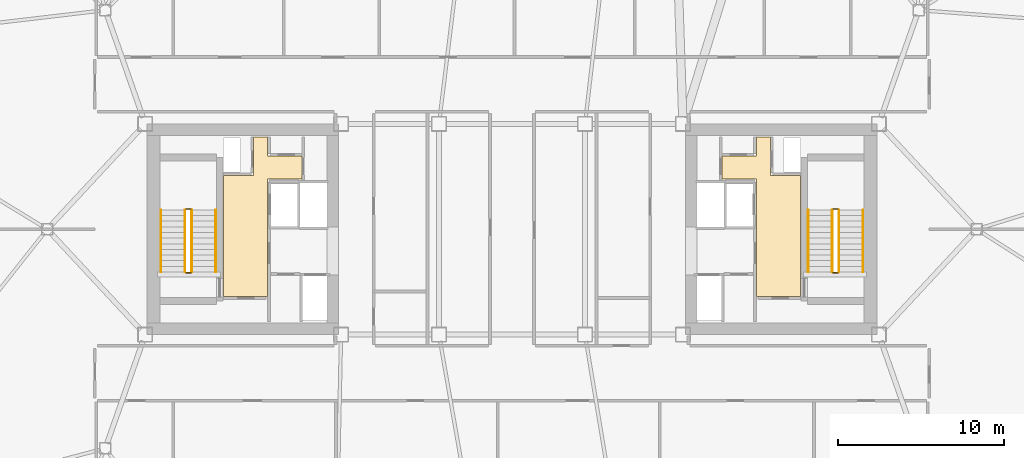
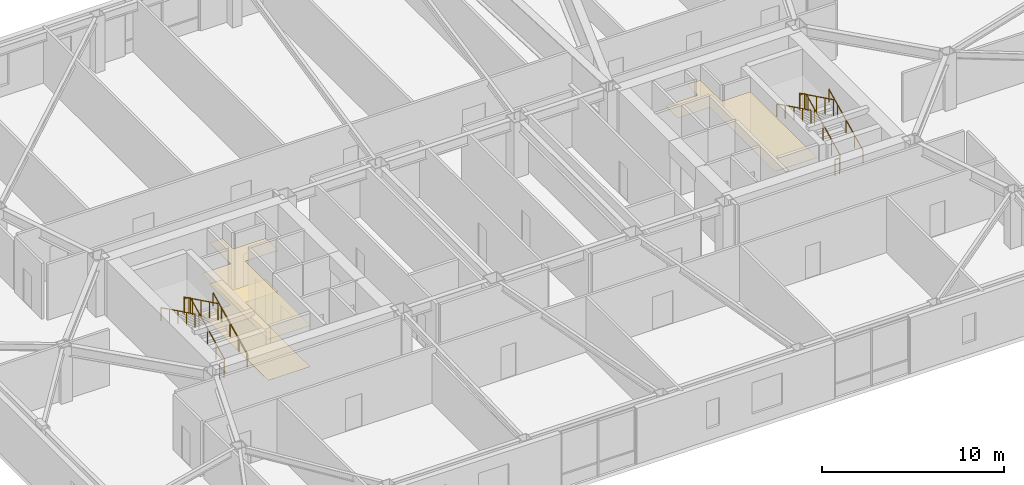
# One storey, part 18 of 18: 12 railings, 3 coverings.
"""IFC4 building model written with IfcOpenShell, lengths in metres."""

from ifc_helpers import new_model, si_unit, direction, frame, origin, origin_2d, place, context, subcontext, project, spatial, polyline, rectangle, outline, extrude, material, layer, layer_set, type_object, element, save


model = new_model("IFC4")

# Units and contexts
model_context = context("Model", 3, precision=1e-05, world=origin(), true_north=direction((0.0, 1.0)))
body_context = subcontext(model_context, "Body", "Model", "MODEL_VIEW")
ifc_project = project(units=[si_unit("LENGTHUNIT", "METRE"), si_unit("AREAUNIT", "SQUARE_METRE"), si_unit("VOLUMEUNIT", "CUBIC_METRE"), si_unit("PLANEANGLEUNIT", "RADIAN"), si_unit("MASSUNIT", "GRAM", prefix="KILO")], contexts=[model_context])

# Site, building, storey
site_placement = place(None, origin())
site = spatial("IfcSite", under=ifc_project, at=site_placement, CompositionType="ELEMENT")
building_placement = place(site_placement, origin())
building = spatial("IfcBuilding", under=site, at=building_placement, Name="Tavrogorsk Clinical Tower", CompositionType="ELEMENT")
storey_placement = place(building_placement, frame((0.0, 0.0, 180.199951171875)))
storey = spatial("IfcBuildingStorey", under=building, at=storey_placement, Name="L41", CompositionType="ELEMENT", Elevation=180.199951171875)

# Coverings
ifc_material_1 = material(Name="Antibacterial micro-perforated aluminium ceiling", Category="aluminium")
ifc_layer_1 = layer(ifc_material_1, 0.014892578125)
ifc_layer_set_1 = layer_set([ifc_layer_1], Name="Antibacterial micro-perforated aluminium ceiling")
covering_type_1 = type_object("IfcCoveringType", Name="ClinicalCeiling_15", PredefinedType="CEILING", material=ifc_layer_set_1)
covering_1_placement = place(storey_placement, frame((0.0, 0.0, 2.75)))
element("IfcCovering", 1, at=covering_1_placement, inside=storey, type_object=covering_type_1, Name="Core West Firefighting Lift Lobby Acoustic Ceiling", PredefinedType="CEILING", context=body_context, shape_type="SweptSolid", body=[
    extrude(outline(polyline([(-17.3798828125, -4.06005859375), (-17.3798828125, 3.239990234375), (-15.56005859375, 3.239990234375), (-15.56005859375, 5.56005859375), (-14.719970703125, 5.56005859375), (-14.719970703125, 4.39990234375), (-12.659912109375, 4.39990234375), (-12.659912109375, 3.0400390625), (-14.719970703125, 3.0400390625), (-14.719970703125, -4.06005859375), (-17.3798828125, -4.06005859375)])), origin(), (0.0, 0.0, 1.0), 0.01513671875),
])
covering_2_placement = place(storey_placement, frame((0.0, 0.0, 2.75)))
element("IfcCovering", 2, at=covering_2_placement, inside=storey, type_object=covering_type_1, Name="Core East Firefighting Lift Lobby Acoustic Ceiling", PredefinedType="CEILING", context=body_context, shape_type="SweptSolid", body=[
    extrude(outline(polyline([(14.719970703125, 3.0400390625), (12.659912109375, 3.0400390625), (12.659912109375, 4.39990234375), (14.719970703125, 4.39990234375), (14.719970703125, 5.56005859375), (15.56005859375, 5.56005859375), (15.56005859375, 3.239990234375), (17.3798828125, 3.239990234375), (17.3798828125, -4.06005859375), (14.719970703125, -4.06005859375), (14.719970703125, 3.0400390625)])), origin(), (0.0, 0.0, 1.0), 0.01513671875),
])
ifc_material_2 = material(Name="Homogeneous medical conductive PVC flooring")
ifc_layer_2 = layer(ifc_material_2, 0.008056640625)
ifc_layer_set_2 = layer_set([ifc_layer_2], Name="Homogeneous medical conductive PVC flooring")
covering_type_2 = type_object("IfcCoveringType", Name="ResilientVinylFloor_8", PredefinedType="FLOORING", material=ifc_layer_set_2)
covering_3_placement = place(storey_placement, origin())
element("IfcCovering", 3, at=covering_3_placement, inside=storey, type_object=covering_type_2, Name="Core West Firefighting Lift Lobby Conductive Vinyl Flooring", PredefinedType="FLOORING", context=body_context, shape_type="SweptSolid", body=[
    extrude(outline(polyline([(-17.3798828125, -4.06005859375), (-17.3798828125, 3.239990234375), (-15.56005859375, 3.239990234375), (-15.56005859375, 5.56005859375), (-14.719970703125, 5.56005859375), (-14.719970703125, 4.39990234375), (-12.659912109375, 4.39990234375), (-12.659912109375, 3.0400390625), (-14.719970703125, 3.0400390625), (-14.719970703125, -4.06005859375), (-17.3798828125, -4.06005859375)])), origin(), (0.0, 0.0, 1.0), 0.008056640625),
])

# Railings
ifc_material_3 = material(Name="Galvanised steel S355 safety stairwell guard", Category="steel")
ifc_layer_3 = layer(ifc_material_3, 0.06005859375)
ifc_layer_set_3 = layer_set([ifc_layer_3], Name="Galvanised steel S355 safety stairwell guard")
railing_type_1 = type_object("IfcRailingType", Name="StairGuard_1150", PredefinedType="GUARDRAIL", material=ifc_layer_set_3)
railing_1_placement = place(storey_placement, frame((-19.300048828125, -2.574951171875, 0.166748046875)))
element("IfcRailing", 4, at=railing_1_placement, inside=storey, type_object=railing_type_1, Name="L41 ST-W stair guard 1", PredefinedType="GUARDRAIL", context=body_context, shape_type="SweptSolid", body=[
    extrude(rectangle(XDim=0.048095703125, YDim=0.048095703125, at=origin_2d()), frame((0.0, 0.0, 1.076171875), z_axis=(0.0, 0.897927990467, 0.440142390523), x_axis=(-1.0, 0.0, 0.0)), (0.0, 0.0, 1.0), 4.1650390625),
    extrude(rectangle(XDim=0.0419921875, YDim=0.0419921875, at=origin_2d()), origin(), (0.0, 0.0, 1.0), 1.052001953125),
    extrude(rectangle(XDim=0.0419921875, YDim=0.0419921875, at=origin_2d()), frame((0.0, 0.93505859375, 0.458251953125)), (0.0, 0.0, 1.0), 1.052001953125),
    extrude(rectangle(XDim=0.0419921875, YDim=0.0419921875, at=origin_2d()), frame((0.0, 1.8701171875, 0.91650390625)), (0.0, 0.0, 1.0), 1.052001953125),
    extrude(rectangle(XDim=0.0419921875, YDim=0.0419921875, at=origin_2d()), frame((0.0, 2.804931640625, 1.375)), (0.0, 0.0, 1.0), 1.052001953125),
    extrude(rectangle(XDim=0.0419921875, YDim=0.0419921875, at=origin_2d()), frame((0.0, 3.739990234375, 1.833251953125)), (0.0, 0.0, 1.0), 1.052001953125),
])
railing_2_placement = place(storey_placement, frame((-19.35009765625, 1.215087890625, 2.0)))
element("IfcRailing", 5, at=railing_2_placement, inside=storey, type_object=railing_type_1, Name="L41 ST-W stair guard 2", PredefinedType="GUARDRAIL", context=body_context, shape_type="SweptSolid", body=[
    extrude(rectangle(XDim=0.048095703125, YDim=0.048095703125, at=origin_2d()), frame((0.0, 0.0, 1.076171875), z_axis=(-1.0, 0.0, 0.0), x_axis=(0.0, -1.0, 0.0)), (0.0, 0.0, 1.0), 0.2998046875),
    extrude(rectangle(XDim=0.0419921875, YDim=0.0419921875, at=origin_2d()), origin(), (0.0, 0.0, 1.0), 1.052001953125),
    extrude(rectangle(XDim=0.0419921875, YDim=0.0419921875, at=origin_2d()), frame((-0.2998046875, 0.0, 0.0)), (0.0, 0.0, 1.0), 1.052001953125),
])
railing_3_placement = place(storey_placement, frame((-19.699951171875, 1.1650390625, 2.166748046875)))
element("IfcRailing", 6, at=railing_3_placement, inside=storey, type_object=railing_type_1, Name="L41 ST-W stair guard 3", PredefinedType="GUARDRAIL", context=body_context, shape_type="SweptSolid", body=[
    extrude(rectangle(XDim=0.048095703125, YDim=0.048095703125, at=origin_2d()), frame((0.0, 0.0, 1.076171875), z_axis=(0.0, -0.897927990467, 0.440142390523), x_axis=(1.0, 0.0, 0.0)), (0.0, 0.0, 1.0), 4.1650390625),
    extrude(rectangle(XDim=0.0419921875, YDim=0.0419921875, at=origin_2d()), origin(), (0.0, 0.0, 1.0), 1.052001953125),
    extrude(rectangle(XDim=0.0419921875, YDim=0.0419921875, at=origin_2d()), frame((0.0, -0.93505859375, 0.458251953125)), (0.0, 0.0, 1.0), 1.052001953125),
    extrude(rectangle(XDim=0.0419921875, YDim=0.0419921875, at=origin_2d()), frame((0.0, -1.8701171875, 0.91650390625)), (0.0, 0.0, 1.0), 1.052001953125),
    extrude(rectangle(XDim=0.0419921875, YDim=0.0419921875, at=origin_2d()), frame((0.0, -2.804931640625, 1.375)), (0.0, 0.0, 1.0), 1.052001953125),
    extrude(rectangle(XDim=0.0419921875, YDim=0.0419921875, at=origin_2d()), frame((0.0, -3.739990234375, 1.833251953125)), (0.0, 0.0, 1.0), 1.052001953125),
])
railing_4_placement = place(storey_placement, frame((-19.35009765625, -2.625, 0.0)))
element("IfcRailing", 7, at=railing_4_placement, inside=storey, type_object=railing_type_1, Name="L41 ST-W stair guard 4", PredefinedType="GUARDRAIL", context=body_context, shape_type="SweptSolid", body=[
    extrude(rectangle(XDim=0.048095703125, YDim=0.048095703125, at=origin_2d()), frame((0.0, 0.0, 1.076171875), z_axis=(-1.0, 0.0, 0.0), x_axis=(0.0, -1.0, 0.0)), (0.0, 0.0, 1.0), 0.2998046875),
    extrude(rectangle(XDim=0.0419921875, YDim=0.0419921875, at=origin_2d()), origin(), (0.0, 0.0, 1.0), 1.052001953125),
    extrude(rectangle(XDim=0.0419921875, YDim=0.0419921875, at=origin_2d()), frame((-0.2998046875, 0.0, 0.0)), (0.0, 0.0, 1.0), 1.052001953125),
])
railing_5_placement = place(storey_placement, frame((19.699951171875, -2.574951171875, 0.166748046875)))
element("IfcRailing", 8, at=railing_5_placement, inside=storey, type_object=railing_type_1, Name="L41 ST-E stair guard 1", PredefinedType="GUARDRAIL", context=body_context, shape_type="SweptSolid", body=[
    extrude(rectangle(XDim=0.048095703125, YDim=0.048095703125, at=origin_2d()), frame((0.0, 0.0, 1.076171875), z_axis=(0.0, 0.897927990467, 0.440142390523), x_axis=(-1.0, 0.0, 0.0)), (0.0, 0.0, 1.0), 4.1650390625),
    extrude(rectangle(XDim=0.0419921875, YDim=0.0419921875, at=origin_2d()), origin(), (0.0, 0.0, 1.0), 1.052001953125),
    extrude(rectangle(XDim=0.0419921875, YDim=0.0419921875, at=origin_2d()), frame((0.0, 0.93505859375, 0.458251953125)), (0.0, 0.0, 1.0), 1.052001953125),
    extrude(rectangle(XDim=0.0419921875, YDim=0.0419921875, at=origin_2d()), frame((0.0, 1.8701171875, 0.91650390625)), (0.0, 0.0, 1.0), 1.052001953125),
    extrude(rectangle(XDim=0.0419921875, YDim=0.0419921875, at=origin_2d()), frame((0.0, 2.804931640625, 1.375)), (0.0, 0.0, 1.0), 1.052001953125),
    extrude(rectangle(XDim=0.0419921875, YDim=0.0419921875, at=origin_2d()), frame((0.0, 3.739990234375, 1.833251953125)), (0.0, 0.0, 1.0), 1.052001953125),
])
railing_6_placement = place(storey_placement, frame((19.64990234375, 1.215087890625, 2.0)))
element("IfcRailing", 9, at=railing_6_placement, inside=storey, type_object=railing_type_1, Name="L41 ST-E stair guard 2", PredefinedType="GUARDRAIL", context=body_context, shape_type="SweptSolid", body=[
    extrude(rectangle(XDim=0.048095703125, YDim=0.048095703125, at=origin_2d()), frame((0.0, 0.0, 1.076171875), z_axis=(-1.0, 0.0, 0.0), x_axis=(0.0, -1.0, 0.0)), (0.0, 0.0, 1.0), 0.2998046875),
    extrude(rectangle(XDim=0.0419921875, YDim=0.0419921875, at=origin_2d()), origin(), (0.0, 0.0, 1.0), 1.052001953125),
    extrude(rectangle(XDim=0.0419921875, YDim=0.0419921875, at=origin_2d()), frame((-0.2998046875, 0.0, 0.0)), (0.0, 0.0, 1.0), 1.052001953125),
])
railing_7_placement = place(storey_placement, frame((19.300048828125, 1.1650390625, 2.166748046875)))
element("IfcRailing", 10, at=railing_7_placement, inside=storey, type_object=railing_type_1, Name="L41 ST-E stair guard 3", PredefinedType="GUARDRAIL", context=body_context, shape_type="SweptSolid", body=[
    extrude(rectangle(XDim=0.048095703125, YDim=0.048095703125, at=origin_2d()), frame((0.0, 0.0, 1.076171875), z_axis=(0.0, -0.897927990467, 0.440142390523), x_axis=(1.0, 0.0, 0.0)), (0.0, 0.0, 1.0), 4.1650390625),
    extrude(rectangle(XDim=0.0419921875, YDim=0.0419921875, at=origin_2d()), origin(), (0.0, 0.0, 1.0), 1.052001953125),
    extrude(rectangle(XDim=0.0419921875, YDim=0.0419921875, at=origin_2d()), frame((0.0, -0.93505859375, 0.458251953125)), (0.0, 0.0, 1.0), 1.052001953125),
    extrude(rectangle(XDim=0.0419921875, YDim=0.0419921875, at=origin_2d()), frame((0.0, -1.8701171875, 0.91650390625)), (0.0, 0.0, 1.0), 1.052001953125),
    extrude(rectangle(XDim=0.0419921875, YDim=0.0419921875, at=origin_2d()), frame((0.0, -2.804931640625, 1.375)), (0.0, 0.0, 1.0), 1.052001953125),
    extrude(rectangle(XDim=0.0419921875, YDim=0.0419921875, at=origin_2d()), frame((0.0, -3.739990234375, 1.833251953125)), (0.0, 0.0, 1.0), 1.052001953125),
])
railing_8_placement = place(storey_placement, frame((19.64990234375, -2.625, 0.0)))
element("IfcRailing", 11, at=railing_8_placement, inside=storey, type_object=railing_type_1, Name="L41 ST-E stair guard 4", PredefinedType="GUARDRAIL", context=body_context, shape_type="SweptSolid", body=[
    extrude(rectangle(XDim=0.048095703125, YDim=0.048095703125, at=origin_2d()), frame((0.0, 0.0, 1.076171875), z_axis=(-1.0, 0.0, 0.0), x_axis=(0.0, -1.0, 0.0)), (0.0, 0.0, 1.0), 0.2998046875),
    extrude(rectangle(XDim=0.0419921875, YDim=0.0419921875, at=origin_2d()), origin(), (0.0, 0.0, 1.0), 1.052001953125),
    extrude(rectangle(XDim=0.0419921875, YDim=0.0419921875, at=origin_2d()), frame((-0.2998046875, 0.0, 0.0)), (0.0, 0.0, 1.0), 1.052001953125),
])
ifc_material_4 = material(Name="Stainless steel AISI 304 tubular handrail", Category="steel")
ifc_layer_4 = layer(ifc_material_4, 0.050048828125)
ifc_layer_set_4 = layer_set([ifc_layer_4], Name="Stainless steel AISI 304 tubular handrail")
railing_type_2 = type_object("IfcRailingType", Name="StairHandrail_920", PredefinedType="HANDRAIL", material=ifc_layer_set_4)
railing_9_placement = place(storey_placement, frame((-17.85009765625, -2.574951171875, 0.166748046875)))
element("IfcRailing", 12, at=railing_9_placement, inside=storey, type_object=railing_type_2, Name="L41 ST-W stair handrail 1", PredefinedType="HANDRAIL", context=body_context, shape_type="SweptSolid", body=[
    extrude(rectangle(XDim=0.048095703125, YDim=0.048095703125, at=origin_2d()), frame((0.0, 0.0, 0.8759765625), z_axis=(0.0, 0.897927990467, 0.440142390523), x_axis=(-1.0, 0.0, 0.0)), (0.0, 0.0, 1.0), 4.1650390625),
    extrude(rectangle(XDim=0.0419921875, YDim=0.0419921875, at=origin_2d()), origin(), (0.0, 0.0, 1.0), 0.851806640625),
    extrude(rectangle(XDim=0.0419921875, YDim=0.0419921875, at=origin_2d()), frame((0.0, 0.93505859375, 0.458251953125)), (0.0, 0.0, 1.0), 0.851806640625),
    extrude(rectangle(XDim=0.0419921875, YDim=0.0419921875, at=origin_2d()), frame((0.0, 1.8701171875, 0.91650390625)), (0.0, 0.0, 1.0), 0.851806640625),
    extrude(rectangle(XDim=0.0419921875, YDim=0.0419921875, at=origin_2d()), frame((0.0, 2.804931640625, 1.375)), (0.0, 0.0, 1.0), 0.851806640625),
    extrude(rectangle(XDim=0.0419921875, YDim=0.0419921875, at=origin_2d()), frame((0.0, 3.739990234375, 1.833251953125)), (0.0, 0.0, 1.0), 0.851806640625),
])
railing_10_placement = place(storey_placement, frame((-21.14990234375, 1.1650390625, 2.166748046875)))
element("IfcRailing", 13, at=railing_10_placement, inside=storey, type_object=railing_type_2, Name="L41 ST-W stair handrail 2", PredefinedType="HANDRAIL", context=body_context, shape_type="SweptSolid", body=[
    extrude(rectangle(XDim=0.048095703125, YDim=0.048095703125, at=origin_2d()), frame((0.0, 0.0, 0.8759765625), z_axis=(0.0, -0.897927990467, 0.440142390523), x_axis=(1.0, 0.0, 0.0)), (0.0, 0.0, 1.0), 4.1650390625),
    extrude(rectangle(XDim=0.0419921875, YDim=0.0419921875, at=origin_2d()), origin(), (0.0, 0.0, 1.0), 0.851806640625),
    extrude(rectangle(XDim=0.0419921875, YDim=0.0419921875, at=origin_2d()), frame((0.0, -0.93505859375, 0.458251953125)), (0.0, 0.0, 1.0), 0.851806640625),
    extrude(rectangle(XDim=0.0419921875, YDim=0.0419921875, at=origin_2d()), frame((0.0, -1.8701171875, 0.91650390625)), (0.0, 0.0, 1.0), 0.851806640625),
    extrude(rectangle(XDim=0.0419921875, YDim=0.0419921875, at=origin_2d()), frame((0.0, -2.804931640625, 1.375)), (0.0, 0.0, 1.0), 0.851806640625),
    extrude(rectangle(XDim=0.0419921875, YDim=0.0419921875, at=origin_2d()), frame((0.0, -3.739990234375, 1.833251953125)), (0.0, 0.0, 1.0), 0.851806640625),
])
railing_11_placement = place(storey_placement, frame((21.14990234375, -2.574951171875, 0.166748046875)))
element("IfcRailing", 14, at=railing_11_placement, inside=storey, type_object=railing_type_2, Name="L41 ST-E stair handrail 1", PredefinedType="HANDRAIL", context=body_context, shape_type="SweptSolid", body=[
    extrude(rectangle(XDim=0.048095703125, YDim=0.048095703125, at=origin_2d()), frame((0.0, 0.0, 0.8759765625), z_axis=(0.0, 0.897927990467, 0.440142390523), x_axis=(-1.0, 0.0, 0.0)), (0.0, 0.0, 1.0), 4.1650390625),
    extrude(rectangle(XDim=0.0419921875, YDim=0.0419921875, at=origin_2d()), origin(), (0.0, 0.0, 1.0), 0.851806640625),
    extrude(rectangle(XDim=0.0419921875, YDim=0.0419921875, at=origin_2d()), frame((0.0, 0.93505859375, 0.458251953125)), (0.0, 0.0, 1.0), 0.851806640625),
    extrude(rectangle(XDim=0.0419921875, YDim=0.0419921875, at=origin_2d()), frame((0.0, 1.8701171875, 0.91650390625)), (0.0, 0.0, 1.0), 0.851806640625),
    extrude(rectangle(XDim=0.0419921875, YDim=0.0419921875, at=origin_2d()), frame((0.0, 2.804931640625, 1.375)), (0.0, 0.0, 1.0), 0.851806640625),
    extrude(rectangle(XDim=0.0419921875, YDim=0.0419921875, at=origin_2d()), frame((0.0, 3.739990234375, 1.833251953125)), (0.0, 0.0, 1.0), 0.851806640625),
])
railing_12_placement = place(storey_placement, frame((17.85009765625, 1.1650390625, 2.166748046875)))
element("IfcRailing", 15, at=railing_12_placement, inside=storey, type_object=railing_type_2, Name="L41 ST-E stair handrail 2", PredefinedType="HANDRAIL", context=body_context, shape_type="SweptSolid", body=[
    extrude(rectangle(XDim=0.048095703125, YDim=0.048095703125, at=origin_2d()), frame((0.0, 0.0, 0.8759765625), z_axis=(0.0, -0.897927990467, 0.440142390523), x_axis=(1.0, 0.0, 0.0)), (0.0, 0.0, 1.0), 4.1650390625),
    extrude(rectangle(XDim=0.0419921875, YDim=0.0419921875, at=origin_2d()), origin(), (0.0, 0.0, 1.0), 0.851806640625),
    extrude(rectangle(XDim=0.0419921875, YDim=0.0419921875, at=origin_2d()), frame((0.0, -0.93505859375, 0.458251953125)), (0.0, 0.0, 1.0), 0.851806640625),
    extrude(rectangle(XDim=0.0419921875, YDim=0.0419921875, at=origin_2d()), frame((0.0, -1.8701171875, 0.91650390625)), (0.0, 0.0, 1.0), 0.851806640625),
    extrude(rectangle(XDim=0.0419921875, YDim=0.0419921875, at=origin_2d()), frame((0.0, -2.804931640625, 1.375)), (0.0, 0.0, 1.0), 0.851806640625),
    extrude(rectangle(XDim=0.0419921875, YDim=0.0419921875, at=origin_2d()), frame((0.0, -3.739990234375, 1.833251953125)), (0.0, 0.0, 1.0), 0.851806640625),
])

save(model, "model.ifc")
